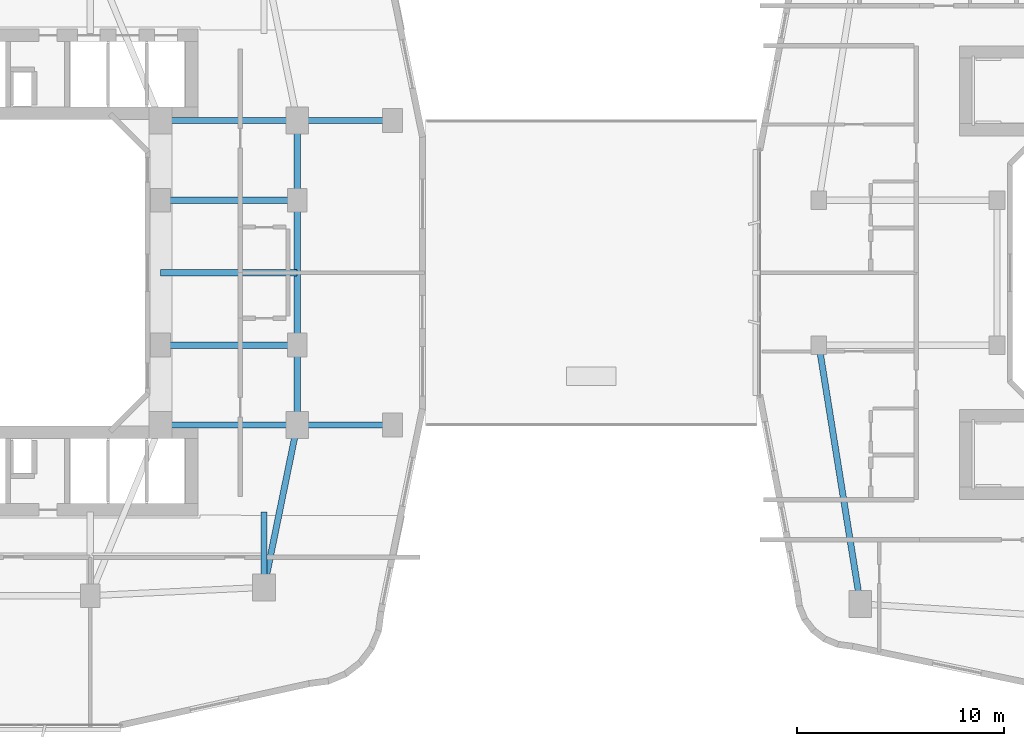
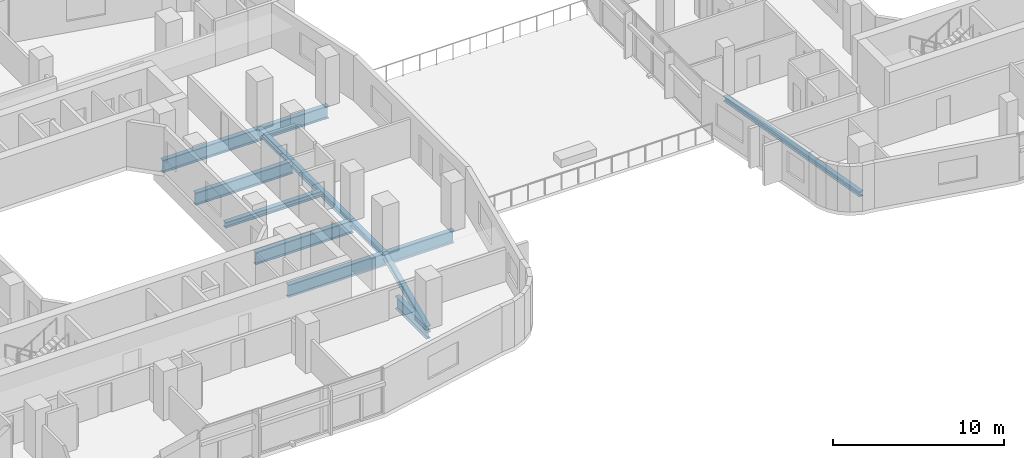
# One storey, part 4 of 25: 13 beams.
"""IFC4 building model written with IfcOpenShell, lengths in metres."""

from ifc_helpers import new_model, si_unit, derived_unit, direction, frame, origin, origin_2d, place, context, subcontext, project, spatial, i_section, extrude, material, material_profile, profile_set, type_object, element, save


model = new_model("IFC4")

# Units and contexts
model_context = context("Model", 3, precision=1e-05, world=origin(), true_north=direction((0.0, 1.0)))
body_context = subcontext(model_context, "Body", "Model", "MODEL_VIEW")
ifc_project = project(units=[si_unit("LENGTHUNIT", "METRE"), si_unit("AREAUNIT", "SQUARE_METRE"), si_unit("VOLUMEUNIT", "CUBIC_METRE"), si_unit("PLANEANGLEUNIT", "RADIAN"), si_unit("MASSUNIT", "GRAM", prefix="KILO"), derived_unit("THERMALTRANSMITTANCEUNIT", [(si_unit("POWERUNIT", "WATT"), 1), (si_unit("LENGTHUNIT", "METRE"), -2), (si_unit("THERMODYNAMICTEMPERATUREUNIT", "KELVIN"), -1)])], contexts=[model_context])

# Site, building, storey
site_placement = place(None, origin())
site = spatial("IfcSite", under=ifc_project, at=site_placement, CompositionType="ELEMENT")
building_placement = place(site_placement, origin())
building = spatial("IfcBuilding", under=site, at=building_placement, Name="Kivonza Crest Hotel", CompositionType="ELEMENT")
storey_placement = place(building_placement, frame((0.0, 0.0, 24.0)))
storey = spatial("IfcBuildingStorey", under=building, at=storey_placement, Name="L05", CompositionType="ELEMENT", Elevation=24.0)

# Beams
ifc_material = material(Name="Steel S355", Category="steel")
ifc_material_profile_1 = material_profile(ifc_material, i_section(OverallWidth=0.300048828125, OverallDepth=0.360107421875, WebThickness=0.012451171875, FlangeThickness=0.0224609375, FilletRadius=0.027099609375, at=origin_2d()), Name="HEB 360")
ifc_profile_set_1 = profile_set([ifc_material_profile_1], Name="Steel S355")
beam_type_1 = type_object("IfcBeamType", Name="BM-HEB360", PredefinedType="SPANDREL", material=ifc_profile_set_1)
beam_1_placement = place(storey_placement, frame((61.0, 21.5, -0.429931640625), z_axis=(0.157990501107, -0.987440631917, 0.0), x_axis=(0.987440631917, 0.157990501107, 0.0)))
element("IfcBeam", 1, at=beam_1_placement, inside=storey, type_object=beam_type_1, Name="Companion Tower T2 L05 perimeter spandrel W1-SW", PredefinedType="SPANDREL", context=body_context, shape_type="SweptSolid", body=[
    extrude(i_section(OverallWidth=0.300048828125, OverallDepth=0.360107421875, WebThickness=0.012451171875, FlangeThickness=0.0224609375, FilletRadius=0.027099609375, at=origin_2d()), origin(), (0.0, 0.0, 1.0), 12.658935546875),
])
ifc_material_profile_2 = material_profile(ifc_material, i_section(OverallWidth=0.300048828125, OverallDepth=0.449951171875, WebThickness=0.013916015625, FlangeThickness=0.02587890625, FilletRadius=0.027099609375, at=origin_2d()), Name="HEB 450")
ifc_profile_set_2 = profile_set([ifc_material_profile_2], Name="Steel S355")
beam_type_2 = type_object("IfcBeamType", Name="BM-HEB450", PredefinedType="SPANDREL", material=ifc_profile_set_2)
beam_2_placement = place(storey_placement, frame((34.199951171875, 9.800048828125, -0.5048828125), z_axis=(0.199730733965, 0.979850822273, 0.0), x_axis=(-0.979850822273, 0.199730733965, 0.0)))
element("IfcBeam", 2, at=beam_2_placement, inside=storey, type_object=beam_type_2, Name="Tower T1 L05 perimeter spandrel SE-PSE", PredefinedType="SPANDREL", context=body_context, shape_type="SweptSolid", body=[
    extrude(i_section(OverallWidth=0.300048828125, OverallDepth=0.449951171875, WebThickness=0.013916015625, FlangeThickness=0.02587890625, FilletRadius=0.027099609375, at=origin_2d()), origin(), (0.0, 0.0, 1.0), 8.01123046875),
])
beam_3_placement = place(storey_placement, frame((35.800048828125, 17.64990234375, -0.5048828125), z_axis=(0.0, 1.0, 0.0), x_axis=(-1.0, 0.0, 0.0)))
element("IfcBeam", 3, at=beam_3_placement, inside=storey, type_object=beam_type_2, Name="Tower T1 L05 perimeter spandrel PSE-E1", PredefinedType="SPANDREL", context=body_context, shape_type="SweptSolid", body=[
    extrude(i_section(OverallWidth=0.300048828125, OverallDepth=0.449951171875, WebThickness=0.013916015625, FlangeThickness=0.02587890625, FilletRadius=0.027099609375, at=origin_2d()), origin(), (0.0, 0.0, 1.0), 3.85009765625),
])
beam_4_placement = place(storey_placement, frame((35.800048828125, 21.5, -0.5048828125), z_axis=(0.0, 1.0, 0.0), x_axis=(-1.0, 0.0, 0.0)))
element("IfcBeam", 4, at=beam_4_placement, inside=storey, type_object=beam_type_2, Name="Tower T1 L05 perimeter spandrel E1-E2", PredefinedType="SPANDREL", context=body_context, shape_type="SweptSolid", body=[
    extrude(i_section(OverallWidth=0.300048828125, OverallDepth=0.449951171875, WebThickness=0.013916015625, FlangeThickness=0.02587890625, FilletRadius=0.027099609375, at=origin_2d()), origin(), (0.0, 0.0, 1.0), 7.0),
])
beam_5_placement = place(storey_placement, frame((35.800048828125, 28.5, -0.5048828125), z_axis=(0.0, 1.0, 0.0), x_axis=(-1.0, 0.0, 0.0)))
element("IfcBeam", 5, at=beam_5_placement, inside=storey, type_object=beam_type_2, Name="Tower T1 L05 perimeter spandrel E2-PNE", PredefinedType="SPANDREL", context=body_context, shape_type="SweptSolid", body=[
    extrude(i_section(OverallWidth=0.300048828125, OverallDepth=0.449951171875, WebThickness=0.013916015625, FlangeThickness=0.02587890625, FilletRadius=0.027099609375, at=origin_2d()), origin(), (0.0, 0.0, 1.0), 3.85009765625),
])
ifc_material_profile_3 = material_profile(ifc_material, i_section(OverallWidth=0.300048828125, OverallDepth=0.89990234375, WebThickness=0.0185546875, FlangeThickness=0.034912109375, FilletRadius=0.030029296875, at=origin_2d()), Name="HEB 900")
ifc_profile_set_3 = profile_set([ifc_material_profile_3], Name="Steel S355")
beam_type_3 = type_object("IfcBeamType", Name="BM-HEB900", PredefinedType="BEAM", material=ifc_profile_set_3)
for number, where, z_axis, x_axis, name in (
    (6, (29.199951171875, 17.64990234375, -0.72998046875), (1.0, 0.0, 0.0), (0.0, 1.0, 0.0), "Tower T1 L05 primary girder TSE-PSE"),
    (7, (29.199951171875, 32.35009765625, -0.72998046875), (1.0, 0.0, 0.0), (0.0, 1.0, 0.0), "Tower T1 L05 primary girder TNE-PNE"),
    (8, (29.199951171875, 21.5, -0.72998046875), (1.0, 0.0, 0.0), (0.0, 1.0, 0.0), "Tower T1 L05 primary girder WR1-E1"),
    (9, (29.199951171875, 28.5, -0.72998046875), (1.0, 0.0, 0.0), (0.0, 1.0, 0.0), "Tower T1 L05 primary girder WR2-E2"),
):
    element("IfcBeam", number, at=place(storey_placement, frame(where, z_axis=z_axis, x_axis=x_axis)), inside=storey, type_object=beam_type_3, Name=name, PredefinedType="BEAM", context=body_context, shape_type="SweptSolid", body=[
        extrude(i_section(OverallWidth=0.300048828125, OverallDepth=0.89990234375, WebThickness=0.0185546875, FlangeThickness=0.034912109375, FilletRadius=0.030029296875, at=origin_2d()), origin(), (0.0, 0.0, 1.0), 6.60009765625),
    ])
for number, where, z_axis, x_axis, name in (
    (10, (40.39990234375, 17.64990234375, -0.72998046875), (-1.0, 0.0, 0.0), (0.0, -1.0, 0.0), "Tower T1 L05 outer bay girder ZE1"),
    (11, (40.39990234375, 32.35009765625, -0.72998046875), (-1.0, 0.0, 0.0), (0.0, -1.0, 0.0), "Tower T1 L05 outer bay girder ZE2"),
):
    element("IfcBeam", number, at=place(storey_placement, frame(where, z_axis=z_axis, x_axis=x_axis)), inside=storey, type_object=beam_type_3, Name=name, PredefinedType="BEAM", context=body_context, shape_type="SweptSolid", body=[
        extrude(i_section(OverallWidth=0.300048828125, OverallDepth=0.89990234375, WebThickness=0.0185546875, FlangeThickness=0.034912109375, FilletRadius=0.030029296875, at=origin_2d()), origin(), (0.0, 0.0, 1.0), 4.599853515625),
    ])
beam_6_placement = place(storey_placement, frame((34.199951171875, 9.800048828125, -0.72998046875), z_axis=(0.0, 1.0, 0.0), x_axis=(-1.0, 0.0, 0.0)))
element("IfcBeam", 12, at=beam_6_placement, inside=storey, type_object=beam_type_3, Name="Tower T1 L05 radial core girder RSE", PredefinedType="BEAM", context=body_context, shape_type="SweptSolid", body=[
    extrude(i_section(OverallWidth=0.300048828125, OverallDepth=0.89990234375, WebThickness=0.0185546875, FlangeThickness=0.034912109375, FilletRadius=0.030029296875, at=origin_2d()), origin(), (0.0, 0.0, 1.0), 3.64990234375),
])
ifc_material_profile_4 = material_profile(ifc_material, i_section(OverallWidth=0.30810546875, OverallDepth=0.39501953125, WebThickness=0.02099609375, FlangeThickness=0.0400390625, FilletRadius=0.027099609375, at=origin_2d()), Name="HEM 360")
ifc_profile_set_4 = profile_set([ifc_material_profile_4], Name="Steel S355")
beam_type_4 = type_object("IfcBeamType", Name="BM-HEM360", PredefinedType="BEAM", material=ifc_profile_set_4)
beam_7_placement = place(storey_placement, frame((29.199951171875, 25.0, -0.47802734375), z_axis=(1.0, 0.0, 0.0), x_axis=(0.0, 1.0, 0.0)))
element("IfcBeam", 13, at=beam_7_placement, inside=storey, type_object=beam_type_4, Name="Transfer level tie girder L05", PredefinedType="BEAM", context=body_context, shape_type="SweptSolid", body=[
    extrude(i_section(OverallWidth=0.30810546875, OverallDepth=0.39501953125, WebThickness=0.02099609375, FlangeThickness=0.0400390625, FilletRadius=0.027099609375, at=origin_2d()), origin(), (0.0, 0.0, 1.0), 6.60009765625),
])

save(model, "model.ifc")
